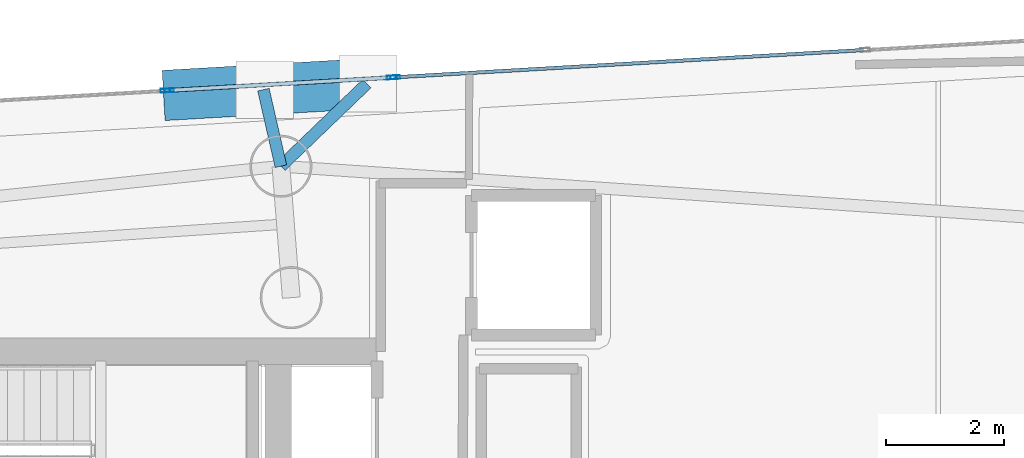
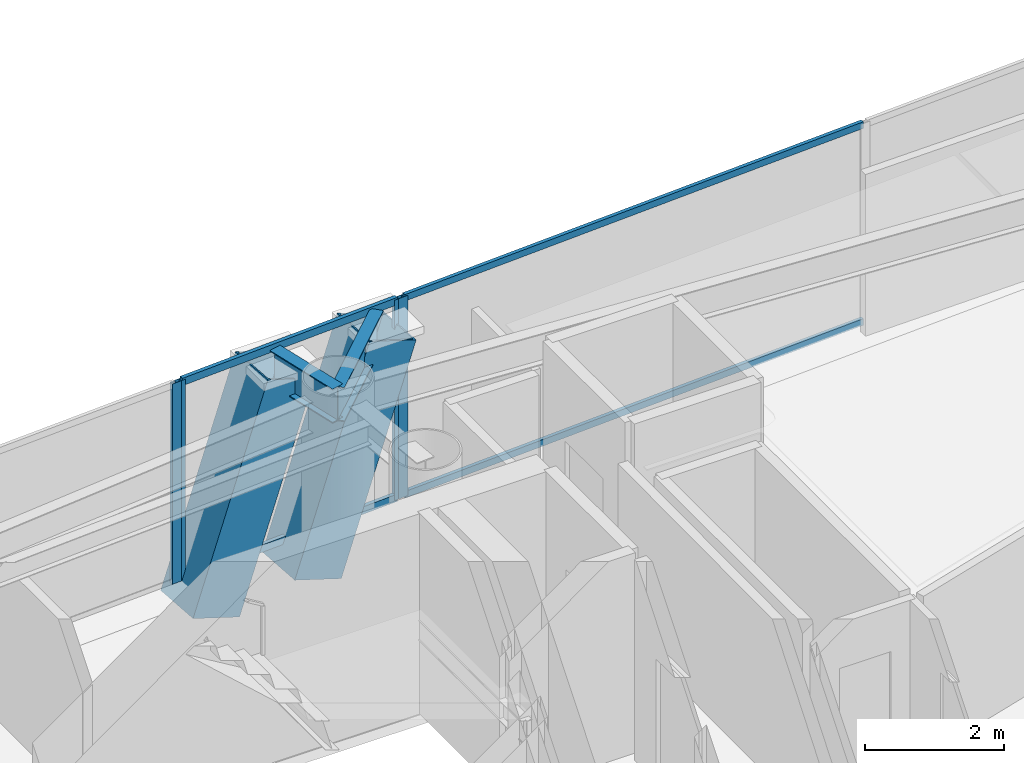
# One storey, part 10 of 18: 10 members, 2 beams, 3 elements without a shape of their own.
"""IFC4 building model written with IfcOpenShell, lengths in metres."""

import ifcopenshell
import ifcopenshell.guid

model = None  # the IFC model being written
_history = None  # IfcOwnerHistory: only IFC2X3 demands one
_inside = {}  # id of a spatial element -> (the spatial element, [elements in it])
_under = {}  # id of a project, library or spatial element -> (it, [spatial elements below it])
_declared = {}  # id of a project -> (the project, [libraries it declares])
_typed = {}  # id of a type object -> (the type object, [elements of that type])
_made_of = {}  # id of a material, layer set ... -> (it, [elements and type objects made of it])


def new_model(schema):
    """Start an empty IFC model of exactly this schema.

    Asked for "IFC4X3", IfcOpenShell would pick the latest addendum, in which some entities
    have other attributes; the version numbers below select the first issue.
    IFC2X3 requires an IfcOwnerHistory on every rooted entity: one is made here for all.
    """
    global model, _history
    if schema == "IFC4X3":
        model = ifcopenshell.file(schema_version=(4, 3, 0, 0))
    else:
        model = ifcopenshell.file(schema=schema)
    _inside.clear()
    _under.clear()
    _declared.clear()
    _typed.clear()
    _made_of.clear()
    _history = None
    if model.schema == "IFC2X3":
        org = make("IfcOrganization", Name="unknown")
        user = make(
            "IfcPersonAndOrganization",
            ThePerson=make("IfcPerson", FamilyName="unknown"),
            TheOrganization=org,
        )
        app = make(
            "IfcApplication",
            ApplicationDeveloper=org,
            Version="unknown",
            ApplicationFullName="unknown",
            ApplicationIdentifier="unknown",
        )
        _history = make(
            "IfcOwnerHistory",
            OwningUser=user,
            OwningApplication=app,
            ChangeAction="ADDED",
            CreationDate=0,
        )
    return model


def make(cls, **values):
    """One entity of the class cls with the attributes given. An attribute that is None is left unset."""
    return model.create_entity(
        cls, **{name: value for name, value in values.items() if value is not None}
    )


def rooted(cls, **values):
    """An entity with a GlobalId (a new one), such as an element, a storey or a relation."""
    return make(cls, GlobalId=ifcopenshell.guid.new(), OwnerHistory=_history, **values)


def si_unit(unit_type, name, prefix=None):
    """IfcSIUnit, for example si_unit("LENGTHUNIT", "METRE", prefix="MILLI")."""
    return make("IfcSIUnit", UnitType=unit_type, Prefix=prefix, Name=name)


def assignment(units):
    """IfcUnitAssignment: the units of a project."""
    return None if units is None else make("IfcUnitAssignment", Units=units)


def point(xyz):
    """IfcCartesianPoint."""
    return None if xyz is None else make("IfcCartesianPoint", Coordinates=xyz)


def direction(xyz):
    """IfcDirection."""
    return None if xyz is None else make("IfcDirection", DirectionRatios=xyz)


def frame(location, z_axis=None, x_axis=None):
    """IfcAxis2Placement3D, a coordinate frame: its origin and axes. An axis left out is left unset."""
    return make(
        "IfcAxis2Placement3D",
        Location=point(location),
        Axis=direction(z_axis),
        RefDirection=direction(x_axis),
    )


def frame_2d(location, x_axis=None):
    """IfcAxis2Placement2D, a coordinate frame in the plane: its origin and x axis."""
    return make(
        "IfcAxis2Placement2D", Location=point(location), RefDirection=direction(x_axis)
    )


def origin():
    """The frame at (0, 0, 0) with its axes left unset."""
    return frame((0.0, 0.0, 0.0))


def origin_2d():
    """The frame at (0, 0) in the plane with its x axis left unset."""
    return frame_2d((0.0, 0.0))


def place(relative_to, where):
    """IfcLocalPlacement: puts the frame where relative to a parent placement (None: the world)."""
    return make(
        "IfcLocalPlacement", PlacementRelTo=relative_to, RelativePlacement=where
    )


def context(
    kind, dimensions, precision=None, world=None, true_north=None, identifier=None
):
    """IfcGeometricRepresentationContext, for example the 3D "Model" context."""
    return make(
        "IfcGeometricRepresentationContext",
        ContextIdentifier=identifier,
        ContextType=kind,
        CoordinateSpaceDimension=dimensions,
        Precision=precision,
        WorldCoordinateSystem=world,
        TrueNorth=true_north,
    )


def subcontext(parent, identifier, kind, view, scale=None):
    """IfcGeometricRepresentationSubContext, for example "Body" below "Model"."""
    return make(
        "IfcGeometricRepresentationSubContext",
        ContextIdentifier=identifier,
        ContextType=kind,
        ParentContext=parent,
        TargetScale=scale,
        TargetView=view,
    )


def project(units=None, contexts=None):
    """IfcProject with its units and contexts."""
    return rooted(
        "IfcProject",
        Name="project",
        RepresentationContexts=contexts,
        UnitsInContext=assignment(units),
    )


def spatial(cls, under=None, at=None, **own):
    """A site, building, storey or space (cls), placed at a placement, below another one or the project."""
    s = rooted(cls, ObjectPlacement=at, **own)
    if under is not None:
        _under.setdefault(under.id(), (under, []))[1].append(s)
    return s


def profile(cls, at=None, kind="AREA", **sizes):
    """A parametric profile (cls). Its sizes go by their IFC names, for example OverallWidth=200.0."""
    return make(cls, ProfileType=kind, Position=at, **sizes)


def hollow_rectangle(**sizes):
    """IfcRectangleHollowProfileDef."""
    return profile("IfcRectangleHollowProfileDef", **sizes)


def i_section(**sizes):
    """IfcIShapeProfileDef."""
    return profile("IfcIShapeProfileDef", **sizes)


def extrude(swept, where, along, depth):
    """IfcExtrudedAreaSolid: the profile swept, set in the frame where, extruded along a direction by depth."""
    return make(
        "IfcExtrudedAreaSolid",
        SweptArea=swept,
        Position=where,
        ExtrudedDirection=direction(along),
        Depth=depth,
    )


def shape(context_of_items, identifier, shape_type, items):
    """IfcShapeRepresentation: the items that make up one representation, for example the "Body"."""
    return make(
        "IfcShapeRepresentation",
        ContextOfItems=context_of_items,
        RepresentationIdentifier=identifier,
        RepresentationType=shape_type,
        Items=items,
    )


def material(Name=None, Category=None):
    """IfcMaterial."""
    return make("IfcMaterial", Name=Name, Category=Category)


def layer(
    of_material, thickness, ventilated=None, Name=None, Category=None, Priority=None
):
    """IfcMaterialLayer: one layer of a wall or slab, of a material (None: an air gap)."""
    return make(
        "IfcMaterialLayer",
        Material=of_material,
        LayerThickness=thickness,
        IsVentilated=ventilated,
        Name=Name,
        Category=Category,
        Priority=Priority,
    )


def layer_set(layers, Name=None):
    """IfcMaterialLayerSet."""
    return make("IfcMaterialLayerSet", MaterialLayers=layers, LayerSetName=Name)


def material_profile(
    of_material, cross_section, Name=None, Category=None, Priority=None
):
    """IfcMaterialProfile: a cross section and its material."""
    return make(
        "IfcMaterialProfile",
        Name=Name,
        Material=of_material,
        Profile=cross_section,
        Priority=Priority,
        Category=Category,
    )


def profile_set(profiles, Name=None, composite=None):
    """IfcMaterialProfileSet."""
    return make(
        "IfcMaterialProfileSet",
        Name=Name,
        MaterialProfiles=profiles,
        CompositeProfile=composite,
    )


def made_of(thing, what):
    """Note that an element or type object is made of a material, layer set ...; save() writes the relation."""
    if what is not None:
        _made_of.setdefault(what.id(), (what, []))[1].append(thing)
    return thing


def type_object(cls, material=None, **own):
    """A type object (cls), such as IfcWallType, which elements share."""
    return made_of(rooted(cls, **own), material)


def element(
    cls,
    number,
    at=None,
    inside=None,
    cuts=None,
    type_object=None,
    material=None,
    context=None,
    identifier="Body",
    shape_type=None,
    held_by="IfcProductDefinitionShape",
    body=None,
    shapes=None,
    **own,
):
    """One element of the class cls, such as IfcWall. Its Tag is "e" and its number.

    at: its placement. inside: the storey or other place that contains it. cuts: it is an
    opening in that element (IfcRelVoidsElement). A single representation is given by context,
    identifier, shape_type and body (its items); several are given by shapes. held_by: the class
    of the entity that holds the representations. save() writes the other relations.
    """
    e = rooted(cls, Tag="e%d" % number, ObjectPlacement=at, **own)
    if body is not None:
        shapes = [shape(context, identifier, shape_type, body)]
    if shapes is not None:
        e.Representation = make(held_by, Representations=shapes)
    if inside is not None:
        _inside.setdefault(inside.id(), (inside, []))[1].append(e)
    if cuts is not None:
        rooted(
            "IfcRelVoidsElement", RelatingBuildingElement=cuts, RelatedOpeningElement=e
        )
    if type_object is not None:
        _typed.setdefault(type_object.id(), (type_object, []))[1].append(e)
    return made_of(e, material)


def aggregate(whole, parts):
    """IfcRelAggregates: a whole, such as a stair, and the parts it consists of."""
    return rooted("IfcRelAggregates", RelatingObject=whole, RelatedObjects=parts)


def save(model, path):
    """Write the relations noted so far, then the file.

    IfcRelAggregates (storeys below a building ...), IfcRelContainedInSpatialStructure (elements
    in a storey), IfcRelDefinesByType, IfcRelAssociatesMaterial and IfcRelDeclares: one each for
    every whole, place, type object, material and project.
    """
    for whole, parts in _under.values():
        aggregate(whole, parts)
    for where, things in _inside.values():
        rooted(
            "IfcRelContainedInSpatialStructure",
            RelatedElements=things,
            RelatingStructure=where,
        )
    for kind, things in _typed.values():
        rooted("IfcRelDefinesByType", RelatedObjects=things, RelatingType=kind)
    for what, things in _made_of.values():
        rooted("IfcRelAssociatesMaterial", RelatedObjects=things, RelatingMaterial=what)
    for by, libraries in _declared.values():
        rooted("IfcRelDeclares", RelatingContext=by, RelatedDefinitions=libraries)
    model.write(path)


model = new_model("IFC4")

# Units and contexts
model_context = context("Model", 3, precision=1e-05, world=origin(), true_north=direction((0.0, 1.0)))
body_context = subcontext(model_context, "Body", "Model", "MODEL_VIEW")
ifc_project = project(units=[si_unit("LENGTHUNIT", "METRE"), si_unit("AREAUNIT", "SQUARE_METRE"), si_unit("VOLUMEUNIT", "CUBIC_METRE"), si_unit("PLANEANGLEUNIT", "RADIAN"), si_unit("MASSUNIT", "GRAM", prefix="KILO")], contexts=[model_context])

# Site, building, storey
site_placement = place(None, origin())
site = spatial("IfcSite", under=ifc_project, at=site_placement, CompositionType="ELEMENT")
building_placement = place(site_placement, origin())
building = spatial("IfcBuilding", under=site, at=building_placement, Name="Qianvela Tower", CompositionType="ELEMENT")
storey_placement = place(building_placement, frame((0.0, 0.0, 264.89990234375)))
storey = spatial("IfcBuildingStorey", under=building, at=storey_placement, Name="L68", CompositionType="ELEMENT", Elevation=264.89990234375)

# Beams
ifc_material_1 = material(Name="Steel Q355B", Category="steel")
ifc_material_profile_1 = material_profile(ifc_material_1, i_section(OverallWidth=0.199951171875, OverallDepth=0.60009765625, WebThickness=0.010986328125, FlangeThickness=0.01708984375, at=origin_2d()), Name="HN600x200x11x17")
ifc_profile_set_1 = profile_set([ifc_material_profile_1], Name="Steel Q355B")
beam_type = type_object("IfcBeamType", Name="BM-HN600-GIRD", PredefinedType="BEAM", material=ifc_profile_set_1)
beam_1_placement = place(storey_placement, frame((38.22509765625, 35.77294921875, 3.218017578125), z_axis=(0.721072682725, 0.692859427465, 0.0), x_axis=(-0.692859427465, 0.721072682725, 0.0)))
element("IfcBeam", 1, at=beam_1_placement, inside=storey, type_object=beam_type, Name="L68 Mega-Brace Column Tie Bracket F1-1", PredefinedType="BEAM", context=body_context, shape_type="SweptSolid", body=[
    extrude(i_section(OverallWidth=0.199951171875, OverallDepth=0.60009765625, WebThickness=0.010986328125, FlangeThickness=0.01708984375, at=origin_2d()), origin(), (0.0, 0.0, 1.0), 2.016357421875),
])
beam_2_placement = place(storey_placement, frame((38.22509765625, 35.77294921875, 3.218017578125), z_axis=(-0.222685110372, 0.974890425442, 0.0), x_axis=(-0.974890425442, -0.222685110372, 0.0)))
element("IfcBeam", 2, at=beam_2_placement, inside=storey, type_object=beam_type, Name="L68 Mega-Brace Column Tie Bracket F1-2", PredefinedType="BEAM", context=body_context, shape_type="SweptSolid", body=[
    extrude(i_section(OverallWidth=0.199951171875, OverallDepth=0.60009765625, WebThickness=0.010986328125, FlangeThickness=0.01708984375, at=origin_2d()), origin(), (0.0, 0.0, 1.0), 1.328857421875),
])

# Curtain wall, members
ifc_material_2 = material(Name="Anodised Architectural Aluminium and Insulated Spandrel Panel", Category="aluminium")
ifc_layer_1 = layer(ifc_material_2, 0.179931640625)
ifc_layer_set_1 = layer_set([ifc_layer_1], Name="Anodised Architectural Aluminium and Insulated Spandrel Panel")
curtain_wall_type_1 = type_object("IfcCurtainWallType", Name="CW-BRACEBAY", PredefinedType="USERDEFINED", material=ifc_layer_set_1)
curtain_wall_1_placement = place(storey_placement, origin())
curtain_wall_1 = element("IfcCurtainWall", 3, at=curtain_wall_1_placement, inside=storey, type_object=curtain_wall_type_1, Name="L68 CW-BRACEBAY Curtain Wall 02B", ObjectType="CURTAIN_WALL_SYSTEM", PredefinedType="USERDEFINED")
ifc_material_3 = material(Name="Anodised Architectural Aluminium 6063-T6", Category="aluminium")
ifc_material_profile_2 = material_profile(ifc_material_3, hollow_rectangle(XDim=0.06494140625, YDim=0.159912109375, WallThickness=0.0048828125, at=origin_2d()), Name="ALU-MULL-65x160")
ifc_profile_set_2 = profile_set([ifc_material_profile_2], Name="Anodised Architectural Aluminium 6063-T6")
member_type_1 = type_object("IfcMemberType", Name="CW-BRACEBAY-MULL", PredefinedType="MULLION", material=ifc_profile_set_2)
member_1_placement = place(storey_placement, frame((40.0947265625, 37.2744140625, 0.0), z_axis=(0.0, 0.0, 1.0), x_axis=(0.058016407196, -0.998315629696, 0.0)))
member_1 = element("IfcMember", 4, at=member_1_placement, type_object=member_type_1, Name="CW-9 mullion 1", PredefinedType="MULLION", context=body_context, shape_type="SweptSolid", body=[
    extrude(hollow_rectangle(XDim=0.06494140625, YDim=0.159912109375, WallThickness=0.0048828125, at=origin_2d()), origin(), (0.0, 0.0, 1.0), 3.52001953125),
])
member_2_placement = place(storey_placement, frame((36.3359375, 37.055908203125, 0.0), z_axis=(0.0, 0.0, 1.0), x_axis=(0.058016407196, -0.998315629696, 0.0)))
member_2 = element("IfcMember", 5, at=member_2_placement, type_object=member_type_1, Name="CW-9 mullion 2", PredefinedType="MULLION", context=body_context, shape_type="SweptSolid", body=[
    extrude(hollow_rectangle(XDim=0.06494140625, YDim=0.159912109375, WallThickness=0.0048828125, at=origin_2d()), origin(), (0.0, 0.0, 1.0), 3.52001953125),
])
ifc_material_4 = material(Name="Anodised Architectural Aluminium 6063-T6", Category="aluminium")
ifc_material_profile_3 = material_profile(ifc_material_4, hollow_rectangle(XDim=0.06494140625, YDim=0.1298828125, WallThickness=0.00439453125, at=origin_2d()), Name="ALU-TRAN-65x130")
ifc_profile_set_3 = profile_set([ifc_material_profile_3], Name="Anodised Architectural Aluminium 6063-T6")
member_type_2 = type_object("IfcMemberType", Name="CW-BRACEBAY-TRAN", PredefinedType="USERDEFINED", material=ifc_profile_set_3)
member_3_placement = place(storey_placement, frame((40.062255859375, 37.2724609375, 0.03271484375), z_axis=(-0.998316658534, -0.057998700783, 0.0), x_axis=(0.057998700783, -0.998316658534, 0.0)))
member_3 = element("IfcMember", 6, at=member_3_placement, type_object=member_type_2, Name="CW-9 transom 1.1", ObjectType="TRANSOM", PredefinedType="USERDEFINED", context=body_context, shape_type="SweptSolid", body=[
    extrude(hollow_rectangle(XDim=0.06494140625, YDim=0.1298828125, WallThickness=0.00439453125, at=origin_2d()), origin(), (0.0, 0.0, 1.0), 3.7001953125),
])
member_4_placement = place(storey_placement, frame((40.062255859375, 37.2724609375, 3.487548828125), z_axis=(-0.998316658534, -0.057998700783, 0.0), x_axis=(0.057998700783, -0.998316658534, 0.0)))
member_4 = element("IfcMember", 7, at=member_4_placement, type_object=member_type_2, Name="CW-9 transom 1.2", ObjectType="TRANSOM", PredefinedType="USERDEFINED", context=body_context, shape_type="SweptSolid", body=[
    extrude(hollow_rectangle(XDim=0.06494140625, YDim=0.1298828125, WallThickness=0.00439453125, at=origin_2d()), origin(), (0.0, 0.0, 1.0), 3.7001953125),
])
aggregate(curtain_wall_1, [member_1, member_2, member_3, member_4])

# Curtain wall, member
ifc_material_5 = material(Name="Anodised Architectural Aluminium and Low-E Glass", Category="aluminium")
ifc_layer_2 = layer(ifc_material_5, 0.159912109375)
ifc_layer_set_2 = layer_set([ifc_layer_2], Name="Anodised Architectural Aluminium and Low-E Glass")
curtain_wall_type_2 = type_object("IfcCurtainWallType", Name="CW-COLIV-Z56", PredefinedType="USERDEFINED", material=ifc_layer_set_2)
curtain_wall_2_placement = place(storey_placement, origin())
curtain_wall_2 = element("IfcCurtainWall", 8, at=curtain_wall_2_placement, inside=storey, type_object=curtain_wall_type_2, Name="L68 CW-COLIV-Z56 Curtain Wall 02A", ObjectType="CURTAIN_WALL_SYSTEM", PredefinedType="USERDEFINED")
ifc_material_6 = material(Name="Anodised Architectural Aluminium 6063-T6", Category="aluminium")
ifc_material_profile_4 = material_profile(ifc_material_6, hollow_rectangle(XDim=0.06494140625, YDim=0.159912109375, WallThickness=0.0048828125, at=origin_2d()), Name="ALU-MULL-65x160")
ifc_profile_set_4 = profile_set([ifc_material_profile_4], Name="Anodised Architectural Aluminium 6063-T6")
member_type_3 = type_object("IfcMemberType", Name="CW-COLIV-Z56-MULL", PredefinedType="MULLION", material=ifc_profile_set_4)
member_5_placement = place(storey_placement, frame((40.159423828125, 37.278076171875, 0.0), z_axis=(0.0, 0.0, 1.0), x_axis=(0.058036085906, -0.998314485887, 0.0)))
member_5 = element("IfcMember", 9, at=member_5_placement, type_object=member_type_3, Name="CW-5 mullion 3", PredefinedType="MULLION", context=body_context, shape_type="SweptSolid", body=[
    extrude(hollow_rectangle(XDim=0.06494140625, YDim=0.159912109375, WallThickness=0.0048828125, at=origin_2d()), origin(), (0.0, 0.0, 1.0), 3.52001953125),
])

curtain_wall_3_placement = place(storey_placement, origin())
curtain_wall_3 = element("IfcCurtainWall", 10, at=curtain_wall_3_placement, inside=storey, type_object=curtain_wall_type_2, Name="L68 CW-COLIV-Z56 Curtain Wall 02C", ObjectType="CURTAIN_WALL_SYSTEM", PredefinedType="USERDEFINED")
member_6_placement = place(storey_placement, frame((36.271240234375, 37.052001953125, 0.0), z_axis=(0.0, 0.0, 1.0), x_axis=(0.058036945112, -0.998314435938, 0.0)))
member_6 = element("IfcMember", 11, at=member_6_placement, type_object=member_type_3, Name="CW-5 mullion 1", PredefinedType="MULLION", context=body_context, shape_type="SweptSolid", body=[
    extrude(hollow_rectangle(XDim=0.06494140625, YDim=0.159912109375, WallThickness=0.0048828125, at=origin_2d()), origin(), (0.0, 0.0, 1.0), 3.52001953125),
])
aggregate(curtain_wall_3, [member_6])

# Member
ifc_material_7 = material(Name="Anodised Architectural Aluminium 6063-T6", Category="aluminium")
ifc_material_profile_5 = material_profile(ifc_material_7, hollow_rectangle(XDim=0.06005859375, YDim=0.114990234375, WallThickness=0.00390625, at=origin_2d()), Name="ALU-TRAN-60x115")
ifc_profile_set_5 = profile_set([ifc_material_profile_5], Name="Anodised Architectural Aluminium 6063-T6")
member_type_4 = type_object("IfcMemberType", Name="CW-COLIV-Z56-TRAN", PredefinedType="USERDEFINED", material=ifc_profile_set_5)
member_7_placement = place(storey_placement, frame((48.076171875, 37.73828125, 0.030029296875), z_axis=(-0.998315169488, -0.058024325668, 0.0), x_axis=(0.058024325668, -0.998315169488, 0.0)))
member_7 = element("IfcMember", 12, at=member_7_placement, type_object=member_type_4, Name="CW-5 transom 2.1", ObjectType="TRANSOM", PredefinedType="USERDEFINED", context=body_context, shape_type="SweptSolid", body=[
    extrude(hollow_rectangle(XDim=0.06005859375, YDim=0.114990234375, WallThickness=0.00390625, at=origin_2d()), origin(), (0.0, 0.0, 1.0), 7.897705078125),
])

member_8_placement = place(storey_placement, frame((48.076171875, 37.73828125, 3.489990234375), z_axis=(-0.998315169488, -0.058024325668, 0.0), x_axis=(0.058024325668, -0.998315169488, 0.0)))
member_8 = element("IfcMember", 13, at=member_8_placement, type_object=member_type_4, Name="CW-5 transom 2.2", ObjectType="TRANSOM", PredefinedType="USERDEFINED", context=body_context, shape_type="SweptSolid", body=[
    extrude(hollow_rectangle(XDim=0.06005859375, YDim=0.114990234375, WallThickness=0.00390625, at=origin_2d()), origin(), (0.0, 0.0, 1.0), 7.897705078125),
])

aggregate(curtain_wall_2, [member_5, member_7, member_8])

# Members
ifc_material_8 = material(Name="Steel Q420GJC", Category="steel")
ifc_material_profile_6 = material_profile(ifc_material_8, hollow_rectangle(XDim=0.85009765625, YDim=0.85009765625, WallThickness=0.031982421875, at=origin_2d()), Name="MBOX-850x850x32")
ifc_profile_set_6 = profile_set([ifc_material_profile_6], Name="Steel Q420GJC")
member_type_5 = type_object("IfcMemberType", Name="MBR-MBRACE-850", PredefinedType="BRACE", material=ifc_profile_set_6)
member_9_placement = place(storey_placement, frame((38.390869140625, 37.09521484375, -0.48193359375), z_axis=(0.328721888373, 0.019065371085, 0.944234309761), x_axis=(-0.057901180765, 0.998322319327, 0.0)))
element("IfcMember", 14, at=member_9_placement, inside=storey, type_object=member_type_5, Name="L68 Tier 11 Exterior Mega-Brace F1A", PredefinedType="BRACE", context=body_context, shape_type="SweptSolid", body=[
    extrude(hollow_rectangle(XDim=0.85009765625, YDim=0.85009765625, WallThickness=0.031982421875, at=origin_2d()), origin(), (0.0, 0.0, 1.0), 3.91845703125),
])
member_10_placement = place(storey_placement, frame((36.6416015625, 36.993408203125, -0.48193359375), z_axis=(0.328610345406, 0.019128436868, 0.944271859051), x_axis=(-0.058111717194, 0.998310086258, 0.0)))
element("IfcMember", 15, at=member_10_placement, inside=storey, type_object=member_type_5, Name="L68 Tier 11 Exterior Mega-Brace F1B", PredefinedType="BRACE", context=body_context, shape_type="SweptSolid", body=[
    extrude(hollow_rectangle(XDim=0.85009765625, YDim=0.85009765625, WallThickness=0.031982421875, at=origin_2d()), origin(), (0.0, 0.0, 1.0), 3.918212890625),
])

save(model, "model.ifc")
